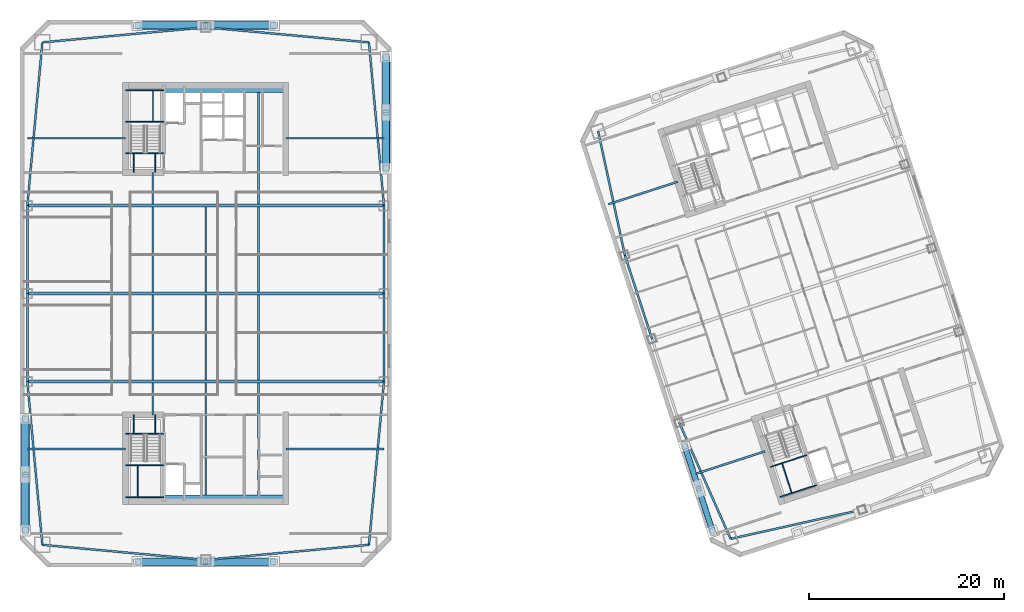
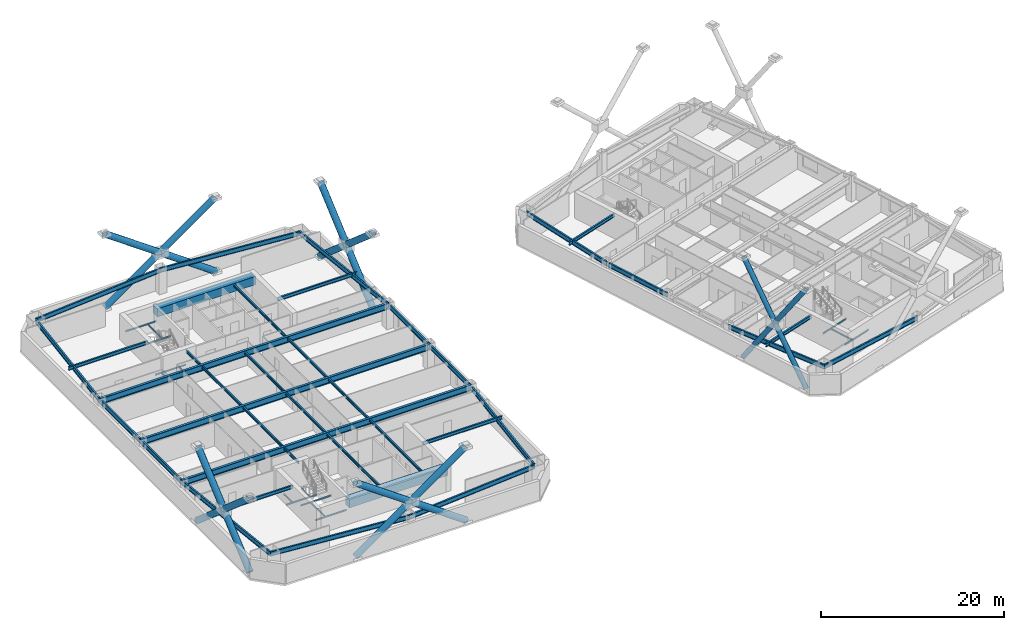
# One storey, part 3 of 14: 53 beams, 20 members.
"""IFC4 building model written with IfcOpenShell, lengths in metres."""

from ifc_helpers import new_model, si_unit, direction, frame, origin, origin_2d, place, context, subcontext, project, spatial, rectangle, hollow_circle, i_section, extrude, material, material_profile, profile_set, type_object, element, save


model = new_model("IFC4")

# Units and contexts
model_context = context("Model", 3, precision=1e-05, world=origin(), true_north=direction((0.0, 1.0)))
body_context = subcontext(model_context, "Body", "Model", "MODEL_VIEW")
ifc_project = project(units=[si_unit("LENGTHUNIT", "METRE"), si_unit("AREAUNIT", "SQUARE_METRE"), si_unit("VOLUMEUNIT", "CUBIC_METRE"), si_unit("PLANEANGLEUNIT", "RADIAN"), si_unit("MASSUNIT", "GRAM", prefix="KILO")], contexts=[model_context])

# Site, building, storey
site_placement = place(None, origin())
site = spatial("IfcSite", under=ifc_project, at=site_placement, CompositionType="ELEMENT")
building_placement = place(site_placement, origin())
building = spatial("IfcBuilding", under=site, at=building_placement, Name="Qiaolan Cultural Towers", CompositionType="ELEMENT")
storey_placement = place(building_placement, frame((0.0, 0.0, 149.5)))
storey = spatial("IfcBuildingStorey", under=building, at=storey_placement, Name="L39", CompositionType="ELEMENT", Elevation=149.5)

# Beams
ifc_material_1 = material(Name="Steel Q355B", Category="steel")
ifc_material_profile_1 = material_profile(ifc_material_1, i_section(OverallWidth=0.300048828125, OverallDepth=0.800048828125, WebThickness=0.013916015625, FlangeThickness=0.02587890625, at=origin_2d()), Name="HN800x300x14x26")
ifc_profile_set_1 = profile_set([ifc_material_profile_1], Name="Steel Q355B")
beam_type_1 = type_object("IfcBeamType", Name="BM-HN800x300x14x26", PredefinedType="BEAM", material=ifc_profile_set_1)
for number, where, z_axis, x_axis, name in (
    (1, (11.75, 25.0, 2.7900390625), (1.0, 0.0, 0.0), (0.0, 1.0, 0.0), "L39 T1 Primary Transverse Girder V1"),
    (2, (11.75, 34.0, 2.7900390625), (1.0, 0.0, 0.0), (0.0, 1.0, 0.0), "L39 T1 Primary Transverse Girder V2"),
    (3, (11.75, 43.0, 2.7900390625), (1.0, 0.0, 0.0), (0.0, 1.0, 0.0), "L39 T1 Primary Transverse Girder V3"),
):
    element("IfcBeam", number, at=place(storey_placement, frame(where, z_axis=z_axis, x_axis=x_axis)), inside=storey, type_object=beam_type_1, Name=name, PredefinedType="BEAM", context=body_context, shape_type="SweptSolid", body=[
        extrude(i_section(OverallWidth=0.300048828125, OverallDepth=0.800048828125, WebThickness=0.013916015625, FlangeThickness=0.02587890625, at=origin_2d()), origin(), (0.0, 0.0, 1.0), 36.5),
    ])
ifc_material_2 = material(Name="Steel Q355B", Category="steel")
ifc_material_profile_2 = material_profile(ifc_material_2, i_section(OverallWidth=0.175048828125, OverallDepth=0.35009765625, WebThickness=0.007080078125, FlangeThickness=0.010986328125, at=origin_2d()), Name="HN350x175x7x11")
ifc_profile_set_2 = profile_set([ifc_material_profile_2], Name="Steel Q355B")
beam_type_2 = type_object("IfcBeamType", Name="BM-JST-HN350x175x7x11", PredefinedType="JOIST", material=ifc_profile_set_2)
beam_1_placement = place(storey_placement, frame((24.60009765625, 21.60009765625, 3.014892578125), z_axis=(0.0, 1.0, 0.0), x_axis=(-1.0, 0.0, 0.0)))
element("IfcBeam", 4, at=beam_1_placement, inside=storey, type_object=beam_type_2, Name="L39 T1 Secondary Floor Joist U1-1", PredefinedType="JOIST", context=body_context, shape_type="SweptSolid", body=[
    extrude(i_section(OverallWidth=0.175048828125, OverallDepth=0.35009765625, WebThickness=0.007080078125, FlangeThickness=0.010986328125, at=origin_2d()), origin(), (0.0, 0.0, 1.0), 3.25),
])
for number, where, z_axis, x_axis, name in (
    (5, (24.60009765625, 25.14990234375, 3.014892578125), (0.0, 1.0, 0.0), (-1.0, 0.0, 0.0), "L39 T1 Secondary Floor Joist U1-2"),
    (6, (24.60009765625, 34.14990234375, 3.014892578125), (0.0, 1.0, 0.0), (-1.0, 0.0, 0.0), "L39 T1 Secondary Floor Joist U1-3"),
):
    element("IfcBeam", number, at=place(storey_placement, frame(where, z_axis=z_axis, x_axis=x_axis)), inside=storey, type_object=beam_type_2, Name=name, PredefinedType="JOIST", context=body_context, shape_type="SweptSolid", body=[
        extrude(i_section(OverallWidth=0.175048828125, OverallDepth=0.35009765625, WebThickness=0.007080078125, FlangeThickness=0.010986328125, at=origin_2d()), origin(), (0.0, 0.0, 1.0), 8.7001953125),
    ])
beam_2_placement = place(storey_placement, frame((24.60009765625, 43.14990234375, 3.014892578125), z_axis=(0.0, 1.0, 0.0), x_axis=(-1.0, 0.0, 0.0)))
element("IfcBeam", 7, at=beam_2_placement, inside=storey, type_object=beam_type_2, Name="L39 T1 Secondary Floor Joist U1-4", PredefinedType="JOIST", context=body_context, shape_type="SweptSolid", body=[
    extrude(i_section(OverallWidth=0.175048828125, OverallDepth=0.35009765625, WebThickness=0.007080078125, FlangeThickness=0.010986328125, at=origin_2d()), origin(), (0.0, 0.0, 1.0), 3.25),
])
beam_3_placement = place(storey_placement, frame((30.0, 13.39990234375, 3.014892578125), z_axis=(0.0, 1.0, 0.0), x_axis=(-1.0, 0.0, 0.0)))
element("IfcBeam", 8, at=beam_3_placement, inside=storey, type_object=beam_type_2, Name="L39 T1 Secondary Floor Joist U2-1", PredefinedType="JOIST", context=body_context, shape_type="SweptSolid", body=[
    extrude(i_section(OverallWidth=0.175048828125, OverallDepth=0.35009765625, WebThickness=0.007080078125, FlangeThickness=0.010986328125, at=origin_2d()), origin(), (0.0, 0.0, 1.0), 11.4501953125),
])
for number, where, z_axis, x_axis, name in (
    (9, (30.0, 25.14990234375, 3.014892578125), (0.0, 1.0, 0.0), (-1.0, 0.0, 0.0), "L39 T1 Secondary Floor Joist U2-2"),
    (10, (30.0, 34.14990234375, 3.014892578125), (0.0, 1.0, 0.0), (-1.0, 0.0, 0.0), "L39 T1 Secondary Floor Joist U2-3"),
):
    element("IfcBeam", number, at=place(storey_placement, frame(where, z_axis=z_axis, x_axis=x_axis)), inside=storey, type_object=beam_type_2, Name=name, PredefinedType="JOIST", context=body_context, shape_type="SweptSolid", body=[
        extrude(i_section(OverallWidth=0.175048828125, OverallDepth=0.35009765625, WebThickness=0.007080078125, FlangeThickness=0.010986328125, at=origin_2d()), origin(), (0.0, 0.0, 1.0), 8.7001953125),
    ])
beam_4_placement = place(storey_placement, frame((35.39990234375, 13.39990234375, 3.014892578125), z_axis=(0.0, 1.0, 0.0), x_axis=(-1.0, 0.0, 0.0)))
element("IfcBeam", 11, at=beam_4_placement, inside=storey, type_object=beam_type_2, Name="L39 T1 Secondary Floor Joist U3-1", PredefinedType="JOIST", context=body_context, shape_type="SweptSolid", body=[
    extrude(i_section(OverallWidth=0.175048828125, OverallDepth=0.35009765625, WebThickness=0.007080078125, FlangeThickness=0.010986328125, at=origin_2d()), origin(), (0.0, 0.0, 1.0), 11.4501953125),
])
for number, where, z_axis, x_axis, name in (
    (12, (35.39990234375, 25.14990234375, 3.014892578125), (0.0, 1.0, 0.0), (-1.0, 0.0, 0.0), "L39 T1 Secondary Floor Joist U3-2"),
    (13, (35.39990234375, 34.14990234375, 3.014892578125), (0.0, 1.0, 0.0), (-1.0, 0.0, 0.0), "L39 T1 Secondary Floor Joist U3-3"),
):
    element("IfcBeam", number, at=place(storey_placement, frame(where, z_axis=z_axis, x_axis=x_axis)), inside=storey, type_object=beam_type_2, Name=name, PredefinedType="JOIST", context=body_context, shape_type="SweptSolid", body=[
        extrude(i_section(OverallWidth=0.175048828125, OverallDepth=0.35009765625, WebThickness=0.007080078125, FlangeThickness=0.010986328125, at=origin_2d()), origin(), (0.0, 0.0, 1.0), 8.7001953125),
    ])
beam_5_placement = place(storey_placement, frame((35.39990234375, 43.14990234375, 3.014892578125), z_axis=(0.0, 1.0, 0.0), x_axis=(-1.0, 0.0, 0.0)))
element("IfcBeam", 14, at=beam_5_placement, inside=storey, type_object=beam_type_2, Name="L39 T1 Secondary Floor Joist U3-4", PredefinedType="JOIST", context=body_context, shape_type="SweptSolid", body=[
    extrude(i_section(OverallWidth=0.175048828125, OverallDepth=0.35009765625, WebThickness=0.007080078125, FlangeThickness=0.010986328125, at=origin_2d()), origin(), (0.0, 0.0, 1.0), 11.4501953125),
])
ifc_material_3 = material(Name="Steel Q355B", Category="steel")
ifc_material_profile_3 = material_profile(ifc_material_3, i_section(OverallWidth=0.199951171875, OverallDepth=0.449951171875, WebThickness=0.009033203125, FlangeThickness=0.013916015625, at=origin_2d()), Name="HN450x200x9x14")
ifc_profile_set_3 = profile_set([ifc_material_profile_3], Name="Steel Q355B")
beam_type_3 = type_object("IfcBeamType", Name="BM-LNT-HN450x200x9x14", PredefinedType="LINTEL", material=ifc_profile_set_3)
for number, where, z_axis, x_axis, name in (
    (15, (21.800048828125, 18.10009765625, 2.965087890625), (-1.0, 0.0, 0.0), (0.0, -1.0, 0.0), "L39 T1 Core Flank Tie Lintel WS"),
    (16, (21.800048828125, 49.89990234375, 2.965087890625), (-1.0, 0.0, 0.0), (0.0, -1.0, 0.0), "L39 T1 Core Flank Tie Lintel WN"),
    (17, (38.199951171875, 18.10009765625, 2.965087890625), (1.0, 0.0, 0.0), (0.0, 1.0, 0.0), "L39 T1 Core Flank Tie Lintel ES"),
    (18, (38.199951171875, 49.89990234375, 2.965087890625), (1.0, 0.0, 0.0), (0.0, 1.0, 0.0), "L39 T1 Core Flank Tie Lintel EN"),
):
    element("IfcBeam", number, at=place(storey_placement, frame(where, z_axis=z_axis, x_axis=x_axis)), inside=storey, type_object=beam_type_3, Name=name, PredefinedType="LINTEL", context=body_context, shape_type="SweptSolid", body=[
        extrude(i_section(OverallWidth=0.199951171875, OverallDepth=0.449951171875, WebThickness=0.009033203125, FlangeThickness=0.013916015625, at=origin_2d()), origin(), (0.0, 0.0, 1.0), 10.050048828125),
    ])
beam_6_placement = place(storey_placement, frame((87.252685546875, 17.861083984375, 2.965087890625), z_axis=(-0.951064407856, -0.308992705592, 0.0), x_axis=(0.308992705592, -0.951064407856, 0.0)))
element("IfcBeam", 19, at=beam_6_placement, inside=storey, type_object=beam_type_3, Name="L39 T2 Core Flank Tie Lintel WS", PredefinedType="LINTEL", context=body_context, shape_type="SweptSolid", body=[
    extrude(i_section(OverallWidth=0.199951171875, OverallDepth=0.449951171875, WebThickness=0.009033203125, FlangeThickness=0.013916015625, at=origin_2d()), origin(), (0.0, 0.0, 1.0), 7.449951171875),
])
beam_7_placement = place(storey_placement, frame((78.291259765625, 45.44189453125, 2.965087890625), z_axis=(-0.951054777171, -0.309022346796, 0.0), x_axis=(0.309022346796, -0.951054777171, 0.0)))
element("IfcBeam", 20, at=beam_7_placement, inside=storey, type_object=beam_type_3, Name="L39 T2 Core Flank Tie Lintel WN", PredefinedType="LINTEL", context=body_context, shape_type="SweptSolid", body=[
    extrude(i_section(OverallWidth=0.199951171875, OverallDepth=0.449951171875, WebThickness=0.009033203125, FlangeThickness=0.013916015625, at=origin_2d()), origin(), (0.0, 0.0, 1.0), 7.4501953125),
])
ifc_material_4 = material(Name="Concrete C50", Category="concrete")
ifc_material_profile_4 = material_profile(ifc_material_4, rectangle(XDim=0.89990234375, YDim=1.10009765625, at=origin_2d()), Name="RC900x1100")
ifc_profile_set_4 = profile_set([ifc_material_profile_4], Name="Concrete C50")
beam_type_4 = type_object("IfcBeamType", Name="BM-RC900x1100", PredefinedType="BEAM", material=ifc_profile_set_4)
for number, where, z_axis, x_axis, name in (
    (21, (25.719970703125, 12.949951171875, 2.639892578125), (1.0, 0.0, 0.0), (0.0, 1.0, 0.0), "L39 T1 Core Header Girder S"),
    (22, (25.719970703125, 55.050048828125, 2.639892578125), (1.0, 0.0, 0.0), (0.0, 1.0, 0.0), "L39 T1 Core Header Girder N"),
):
    element("IfcBeam", number, at=place(storey_placement, frame(where, z_axis=z_axis, x_axis=x_axis)), inside=storey, type_object=beam_type_4, Name=name, PredefinedType="BEAM", context=body_context, shape_type="SweptSolid", body=[
        extrude(rectangle(XDim=0.89990234375, YDim=1.10009765625, at=origin_2d()), origin(), (0.0, 0.0, 1.0), 12.47998046875),
    ])
ifc_material_5 = material(Name="Steel Q355B", Category="steel")
ifc_material_profile_5 = material_profile(ifc_material_5, i_section(OverallWidth=0.199951171875, OverallDepth=0.60009765625, WebThickness=0.010986328125, FlangeThickness=0.01708984375, at=origin_2d()), Name="HN600x200x11x17")
ifc_profile_set_5 = profile_set([ifc_material_profile_5], Name="Steel Q355B")
beam_type_5 = type_object("IfcBeamType", Name="BM-SPD-HN600x200x11x17", PredefinedType="SPANDREL", material=ifc_profile_set_5)
for number, where, z_axis, x_axis, name in (
    (23, (13.2900390625, 8.2900390625, 2.889892578125), (0.995779862064, -0.09177399582, 0.0), (0.09177399582, 0.995779862064, 0.0), "L39 T1 Perimeter Spandrel Beam 1"),
    (24, (30.0, 6.75, 2.889892578125), (0.995779862064, 0.09177399582, 0.0), (-0.09177399582, 0.995779862064, 0.0), "L39 T1 Perimeter Spandrel Beam 2"),
    (25, (46.7099609375, 8.2900390625, 2.889892578125), (0.09177399582, 0.995779862064, 0.0), (-0.995779862064, 0.09177399582, 0.0), "L39 T1 Perimeter Spandrel Beam 3"),
):
    element("IfcBeam", number, at=place(storey_placement, frame(where, z_axis=z_axis, x_axis=x_axis)), inside=storey, type_object=beam_type_5, Name=name, PredefinedType="SPANDREL", context=body_context, shape_type="SweptSolid", body=[
        extrude(i_section(OverallWidth=0.199951171875, OverallDepth=0.60009765625, WebThickness=0.010986328125, FlangeThickness=0.01708984375, at=origin_2d()), origin(), (0.0, 0.0, 1.0), 16.78076171875),
    ])
for number, where, z_axis, x_axis, name in (
    (26, (48.25, 25.0, 2.889892578125), (0.0, 1.0, 0.0), (-1.0, 0.0, 0.0), "L39 T1 Perimeter Spandrel Beam 4"),
    (27, (48.25, 34.0, 2.889892578125), (0.0, 1.0, 0.0), (-1.0, 0.0, 0.0), "L39 T1 Perimeter Spandrel Beam 5"),
):
    element("IfcBeam", number, at=place(storey_placement, frame(where, z_axis=z_axis, x_axis=x_axis)), inside=storey, type_object=beam_type_5, Name=name, PredefinedType="SPANDREL", context=body_context, shape_type="SweptSolid", body=[
        extrude(i_section(OverallWidth=0.199951171875, OverallDepth=0.60009765625, WebThickness=0.010986328125, FlangeThickness=0.01708984375, at=origin_2d()), origin(), (0.0, 0.0, 1.0), 9.0),
    ])
for number, where, z_axis, x_axis, name in (
    (28, (48.25, 43.0, 2.889892578125), (-0.09177399582, 0.995779862064, 0.0), (-0.995779862064, -0.09177399582, 0.0), "L39 T1 Perimeter Spandrel Beam 6"),
    (29, (46.7099609375, 59.7099609375, 2.889892578125), (-0.995779862064, 0.09177399582, 0.0), (-0.09177399582, -0.995779862064, 0.0), "L39 T1 Perimeter Spandrel Beam 7"),
    (30, (30.0, 61.25, 2.889892578125), (-0.995779862064, -0.09177399582, 0.0), (0.09177399582, -0.995779862064, 0.0), "L39 T1 Perimeter Spandrel Beam 8"),
    (31, (13.2900390625, 59.7099609375, 2.889892578125), (-0.09177399582, -0.995779862064, 0.0), (0.995779862064, -0.09177399582, 0.0), "L39 T1 Perimeter Spandrel Beam 9"),
):
    element("IfcBeam", number, at=place(storey_placement, frame(where, z_axis=z_axis, x_axis=x_axis)), inside=storey, type_object=beam_type_5, Name=name, PredefinedType="SPANDREL", context=body_context, shape_type="SweptSolid", body=[
        extrude(i_section(OverallWidth=0.199951171875, OverallDepth=0.60009765625, WebThickness=0.010986328125, FlangeThickness=0.01708984375, at=origin_2d()), origin(), (0.0, 0.0, 1.0), 16.78076171875),
    ])
for number, where, z_axis, x_axis, name in (
    (32, (11.75, 43.0, 2.889892578125), (0.0, -1.0, 0.0), (1.0, 0.0, 0.0), "L39 T1 Perimeter Spandrel Beam 10"),
    (33, (11.75, 34.0, 2.889892578125), (0.0, -1.0, 0.0), (1.0, 0.0, 0.0), "L39 T1 Perimeter Spandrel Beam 11"),
):
    element("IfcBeam", number, at=place(storey_placement, frame(where, z_axis=z_axis, x_axis=x_axis)), inside=storey, type_object=beam_type_5, Name=name, PredefinedType="SPANDREL", context=body_context, shape_type="SweptSolid", body=[
        extrude(i_section(OverallWidth=0.199951171875, OverallDepth=0.60009765625, WebThickness=0.010986328125, FlangeThickness=0.01708984375, at=origin_2d()), origin(), (0.0, 0.0, 1.0), 9.0),
    ])
beam_8_placement = place(storey_placement, frame((11.75, 25.0, 2.889892578125), z_axis=(0.09177399582, -0.995779862064, 0.0), x_axis=(0.995779862064, 0.09177399582, 0.0)))
element("IfcBeam", 34, at=beam_8_placement, inside=storey, type_object=beam_type_5, Name="L39 T1 Perimeter Spandrel Beam 12", PredefinedType="SPANDREL", context=body_context, shape_type="SweptSolid", body=[
    extrude(i_section(OverallWidth=0.199951171875, OverallDepth=0.60009765625, WebThickness=0.010986328125, FlangeThickness=0.01708984375, at=origin_2d()), origin(), (0.0, 0.0, 1.0), 16.78076171875),
])
beam_9_placement = place(storey_placement, frame((83.71875, 8.900634765625, 2.889892578125), z_axis=(0.976265293399, 0.216578108094, 0.0), x_axis=(-0.216578108094, 0.976265293399, 0.0)))
element("IfcBeam", 35, at=beam_9_placement, inside=storey, type_object=beam_type_5, Name="L39 T2 Perimeter Spandrel Beam 1", PredefinedType="SPANDREL", context=body_context, shape_type="SweptSolid", body=[
    extrude(i_section(OverallWidth=0.199951171875, OverallDepth=0.60009765625, WebThickness=0.010986328125, FlangeThickness=0.01708984375, at=origin_2d()), origin(), (0.0, 0.0, 1.0), 13.793212890625),
])
beam_10_placement = place(storey_placement, frame((70.165283203125, 50.61376953125, 2.889892578125), z_axis=(0.210832241173, -0.977522258612, 0.0), x_axis=(0.977522258612, 0.210832241173, 0.0)))
element("IfcBeam", 36, at=beam_10_placement, inside=storey, type_object=beam_type_5, Name="L39 T2 Perimeter Spandrel Beam 9", PredefinedType="SPANDREL", context=body_context, shape_type="SweptSolid", body=[
    extrude(i_section(OverallWidth=0.199951171875, OverallDepth=0.60009765625, WebThickness=0.010986328125, FlangeThickness=0.01708984375, at=origin_2d()), origin(), (0.0, 0.0, 1.0), 12.997314453125),
])
beam_11_placement = place(storey_placement, frame((72.905517578125, 37.90869140625, 2.889892578125), z_axis=(0.309008170129, -0.951059383421, 0.0), x_axis=(0.951059383421, 0.309008170129, 0.0)))
element("IfcBeam", 37, at=beam_11_placement, inside=storey, type_object=beam_type_5, Name="L39 T2 Perimeter Spandrel Beam 10", PredefinedType="SPANDREL", context=body_context, shape_type="SweptSolid", body=[
    extrude(i_section(OverallWidth=0.199951171875, OverallDepth=0.60009765625, WebThickness=0.010986328125, FlangeThickness=0.01708984375, at=origin_2d()), origin(), (0.0, 0.0, 1.0), 8.999755859375),
])
beam_12_placement = place(storey_placement, frame((78.4677734375, 20.789794921875, 2.889892578125), z_axis=(0.404011070002, -0.914754095545, 0.0), x_axis=(0.914754095545, 0.404011070002, 0.0)))
element("IfcBeam", 38, at=beam_12_placement, inside=storey, type_object=beam_type_5, Name="L39 T2 Perimeter Spandrel Beam 12", PredefinedType="SPANDREL", context=body_context, shape_type="SweptSolid", body=[
    extrude(i_section(OverallWidth=0.199951171875, OverallDepth=0.60009765625, WebThickness=0.010986328125, FlangeThickness=0.01708984375, at=origin_2d()), origin(), (0.0, 0.0, 1.0), 12.9970703125),
])
ifc_material_6 = material(Name="Steel Q355B", Category="steel")
ifc_material_profile_6 = material_profile(ifc_material_6, i_section(OverallWidth=0.10009765625, OverallDepth=0.199951171875, WebThickness=0.005615234375, FlangeThickness=0.008056640625, at=origin_2d()), Name="HN200x100x5.5x8")
ifc_profile_set_6 = profile_set([ifc_material_profile_6], Name="Steel Q355B")
beam_type_6 = type_object("IfcBeamType", Name="BM-STTRIM-200", PredefinedType="BEAM", material=ifc_profile_set_6)
beam_13_placement = place(storey_placement, frame((21.800048828125, 19.659912109375, -0.4599609375), z_axis=(1.0, 0.0, 0.0), x_axis=(0.0, 1.0, 0.0)))
element("IfcBeam", 39, at=beam_13_placement, inside=storey, type_object=beam_type_6, Name="L39 ST-W1 Floor Landing Header Beam", PredefinedType="BEAM", context=body_context, shape_type="SweptSolid", body=[
    extrude(i_section(OverallWidth=0.10009765625, OverallDepth=0.199951171875, WebThickness=0.005615234375, FlangeThickness=0.008056640625, at=origin_2d()), origin(), (0.0, 0.0, 1.0), 3.919921875),
])
for number, where, z_axis, x_axis, name in (
    (40, (22.64990234375, 21.60009765625, -0.4599609375), (0.0, -1.0, 0.0), (1.0, 0.0, 0.0), "L39 ST-W1 Floor Landing Stringer 1"),
    (41, (24.85009765625, 21.60009765625, -0.4599609375), (0.0, -1.0, 0.0), (1.0, 0.0, 0.0), "L39 ST-W1 Floor Landing Stringer 2"),
):
    element("IfcBeam", number, at=place(storey_placement, frame(where, z_axis=z_axis, x_axis=x_axis)), inside=storey, type_object=beam_type_6, Name=name, PredefinedType="BEAM", context=body_context, shape_type="SweptSolid", body=[
        extrude(i_section(OverallWidth=0.10009765625, OverallDepth=0.199951171875, WebThickness=0.005615234375, FlangeThickness=0.008056640625, at=origin_2d()), origin(), (0.0, 0.0, 1.0), 1.940185546875),
    ])
for number, where, z_axis, x_axis, name in (
    (42, (21.800048828125, 16.411376953125, 1.425048828125), (1.0, 0.0, 0.0), (0.0, 1.0, 0.0), "L39 ST-W1 Stair Landing Support Beam 1-1"),
    (43, (21.800048828125, 13.179931640625, 1.425048828125), (1.0, 0.0, 0.0), (0.0, 1.0, 0.0), "L39 ST-W1 Stair Landing Support Beam 1-2"),
):
    element("IfcBeam", number, at=place(storey_placement, frame(where, z_axis=z_axis, x_axis=x_axis)), inside=storey, type_object=beam_type_6, Name=name, PredefinedType="BEAM", context=body_context, shape_type="SweptSolid", body=[
        extrude(i_section(OverallWidth=0.10009765625, OverallDepth=0.199951171875, WebThickness=0.005615234375, FlangeThickness=0.008056640625, at=origin_2d()), origin(), (0.0, 0.0, 1.0), 3.919921875),
    ])
beam_14_placement = place(storey_placement, frame((23.070068359375, 16.411376953125, 1.425048828125), z_axis=(0.0, -1.0, 0.0), x_axis=(1.0, 0.0, 0.0)))
element("IfcBeam", 44, at=beam_14_placement, inside=storey, type_object=beam_type_6, Name="L39 ST-W1 Stair Landing Trimmer 1", PredefinedType="BEAM", context=body_context, shape_type="SweptSolid", body=[
    extrude(i_section(OverallWidth=0.10009765625, OverallDepth=0.199951171875, WebThickness=0.005615234375, FlangeThickness=0.008056640625, at=origin_2d()), origin(), (0.0, 0.0, 1.0), 3.2314453125),
])
beam_15_placement = place(storey_placement, frame((21.800048828125, 48.340087890625, -0.4599609375), z_axis=(1.0, 0.0, 0.0), x_axis=(0.0, 1.0, 0.0)))
element("IfcBeam", 45, at=beam_15_placement, inside=storey, type_object=beam_type_6, Name="L39 ST-W2 Floor Landing Header Beam", PredefinedType="BEAM", context=body_context, shape_type="SweptSolid", body=[
    extrude(i_section(OverallWidth=0.10009765625, OverallDepth=0.199951171875, WebThickness=0.005615234375, FlangeThickness=0.008056640625, at=origin_2d()), origin(), (0.0, 0.0, 1.0), 3.919921875),
])
for number, where, z_axis, x_axis, name in (
    (46, (22.64990234375, 46.39990234375, -0.4599609375), (0.0, 1.0, 0.0), (-1.0, 0.0, 0.0), "L39 ST-W2 Floor Landing Stringer 1"),
    (47, (24.85009765625, 46.39990234375, -0.4599609375), (0.0, 1.0, 0.0), (-1.0, 0.0, 0.0), "L39 ST-W2 Floor Landing Stringer 2"),
):
    element("IfcBeam", number, at=place(storey_placement, frame(where, z_axis=z_axis, x_axis=x_axis)), inside=storey, type_object=beam_type_6, Name=name, PredefinedType="BEAM", context=body_context, shape_type="SweptSolid", body=[
        extrude(i_section(OverallWidth=0.10009765625, OverallDepth=0.199951171875, WebThickness=0.005615234375, FlangeThickness=0.008056640625, at=origin_2d()), origin(), (0.0, 0.0, 1.0), 1.940185546875),
    ])
for number, where, z_axis, x_axis, name in (
    (48, (21.800048828125, 51.588623046875, 1.425048828125), (1.0, 0.0, 0.0), (0.0, 1.0, 0.0), "L39 ST-W2 Stair Landing Support Beam 1-1"),
    (49, (21.800048828125, 54.820068359375, 1.425048828125), (1.0, 0.0, 0.0), (0.0, 1.0, 0.0), "L39 ST-W2 Stair Landing Support Beam 1-2"),
):
    element("IfcBeam", number, at=place(storey_placement, frame(where, z_axis=z_axis, x_axis=x_axis)), inside=storey, type_object=beam_type_6, Name=name, PredefinedType="BEAM", context=body_context, shape_type="SweptSolid", body=[
        extrude(i_section(OverallWidth=0.10009765625, OverallDepth=0.199951171875, WebThickness=0.005615234375, FlangeThickness=0.008056640625, at=origin_2d()), origin(), (0.0, 0.0, 1.0), 3.919921875),
    ])
beam_16_placement = place(storey_placement, frame((24.610107421875, 51.588623046875, 1.425048828125), z_axis=(0.0, 1.0, 0.0), x_axis=(-1.0, 0.0, 0.0)))
element("IfcBeam", 50, at=beam_16_placement, inside=storey, type_object=beam_type_6, Name="L39 ST-W2 Stair Landing Trimmer 1", PredefinedType="BEAM", context=body_context, shape_type="SweptSolid", body=[
    extrude(i_section(OverallWidth=0.10009765625, OverallDepth=0.199951171875, WebThickness=0.005615234375, FlangeThickness=0.008056640625, at=origin_2d()), origin(), (0.0, 0.0, 1.0), 3.2314453125),
])
for number, where, z_axis, x_axis, name in (
    (51, (87.774658203125, 16.255126953125, 1.425048828125), (0.951047798727, 0.309043823005, 0.0), (-0.309043823005, 0.951047798727, 0.0), "L39 ST-E1 Stair Landing Support Beam 1-1"),
    (52, (88.773193359375, 13.181884765625, 1.425048828125), (0.951047798727, 0.309043823005, 0.0), (-0.309043823005, 0.951047798727, 0.0), "L39 ST-E1 Stair Landing Support Beam 1-2"),
):
    element("IfcBeam", number, at=place(storey_placement, frame(where, z_axis=z_axis, x_axis=x_axis)), inside=storey, type_object=beam_type_6, Name=name, PredefinedType="BEAM", context=body_context, shape_type="SweptSolid", body=[
        extrude(i_section(OverallWidth=0.10009765625, OverallDepth=0.199951171875, WebThickness=0.005615234375, FlangeThickness=0.008056640625, at=origin_2d()), origin(), (0.0, 0.0, 1.0), 3.919921875),
    ])
beam_17_placement = place(storey_placement, frame((88.982421875, 16.6474609375, 1.425048828125), z_axis=(0.309033108495, -0.951051280349, 0.0), x_axis=(0.951051280349, 0.309033108495, 0.0)))
element("IfcBeam", 53, at=beam_17_placement, inside=storey, type_object=beam_type_6, Name="L39 ST-E1 Stair Landing Trimmer 1", PredefinedType="BEAM", context=body_context, shape_type="SweptSolid", body=[
    extrude(i_section(OverallWidth=0.10009765625, OverallDepth=0.199951171875, WebThickness=0.005615234375, FlangeThickness=0.008056640625, at=origin_2d()), origin(), (0.0, 0.0, 1.0), 3.231201171875),
])

# Members
ifc_material_7 = material(Name="Steel Q355B", Category="steel")
ifc_material_profile_7 = material_profile(ifc_material_7, hollow_circle(Radius=0.300048828125, WallThickness=0.030029296875, at=origin_2d()), Name="CHS600x30")
ifc_profile_set_7 = profile_set([ifc_material_profile_7], Name="Steel Q355B")
member_type_1 = type_object("IfcMemberType", Name="MBR-BRC-CHS600x30", PredefinedType="BRACE", material=ifc_profile_set_7)
for number, where, z_axis, x_axis, name in (
    (54, (81.877685546875, 9.648193359375, 0.14990234375), (-0.175992557222, 0.541656628538, 0.821970021694), (-0.951057728941, -0.309013262209, 0.0), "T2 WEST Perimeter Frame Diagonal E-Z3-M2-D1A"),
    (55, (80.448486328125, 14.046875, 6.824951171875), (-0.175992557222, 0.541656628538, 0.821970021694), (-0.951057728941, -0.309013262209, 0.0), "T2 WEST Perimeter Frame Diagonal E-Z3-M2-D1B"),
    (56, (79.019287109375, 18.445556640625, 0.14990234375), (0.175992557222, -0.541656628538, 0.821970021694), (0.951057728941, 0.309013262209, 0.0), "T2 WEST Perimeter Frame Diagonal E-Z3-M2-D2A"),
    (57, (80.448486328125, 14.046875, 6.824951171875), (0.175992557222, -0.541656628538, 0.821970021694), (0.951057728941, 0.309013262209, 0.0), "T2 WEST Perimeter Frame Diagonal E-Z3-M2-D2B"),
):
    element("IfcMember", number, at=place(storey_placement, frame(where, z_axis=z_axis, x_axis=x_axis)), inside=storey, type_object=member_type_1, Name=name, PredefinedType="BRACE", context=body_context, shape_type="SweptSolid", body=[
        extrude(hollow_circle(Radius=0.300048828125, WallThickness=0.030029296875, at=origin_2d()), origin(), (0.0, 0.0, 1.0), 8.120849609375),
    ])
ifc_material_8 = material(Name="Steel Q390GJB", Category="steel")
ifc_material_profile_8 = material_profile(ifc_material_8, hollow_circle(Radius=0.39990234375, WallThickness=0.0400390625, at=origin_2d()), Name="CHS800x40")
ifc_profile_set_8 = profile_set([ifc_material_profile_8], Name="Steel Q390GJB")
member_type_2 = type_object("IfcMemberType", Name="MBR-BRC-CHS800x40", PredefinedType="BRACE", material=ifc_profile_set_8)
member_1_placement = place(storey_placement, frame((11.550048828125, 9.75, 0.14990234375), z_axis=(0.0, 0.756444262599, 0.654058160702), x_axis=(-1.0, 0.0, 0.0)))
element("IfcMember", 58, at=member_1_placement, inside=storey, type_object=member_type_2, Name="T1 WEST Perimeter Frame Diagonal W-Z2-M5-D1A", PredefinedType="BRACE", context=body_context, shape_type="SweptSolid", body=[
    extrude(hollow_circle(Radius=0.39990234375, WallThickness=0.0400390625, at=origin_2d()), origin(), (0.0, 0.0, 1.0), 7.568359375),
])
member_2_placement = place(storey_placement, frame((11.550048828125, 15.47509765625, 5.10009765625), z_axis=(0.0, 0.756446422881, 0.654055662242), x_axis=(-1.0, 0.0, 0.0)))
element("IfcMember", 59, at=member_2_placement, inside=storey, type_object=member_type_2, Name="T1 WEST Perimeter Frame Diagonal W-Z2-M5-D1B", PredefinedType="BRACE", context=body_context, shape_type="SweptSolid", body=[
    extrude(hollow_circle(Radius=0.39990234375, WallThickness=0.0400390625, at=origin_2d()), origin(), (0.0, 0.0, 1.0), 7.568115234375),
])
for number, where, z_axis, x_axis, name in (
    (60, (11.550048828125, 21.199951171875, 0.14990234375), (0.0, -0.756430462484, 0.654074120744), (1.0, 0.0, 0.0), "T1 WEST Perimeter Frame Diagonal W-Z2-M5-D2A"),
    (61, (11.550048828125, 15.47509765625, 5.10009765625), (0.0, -0.756460222509, 0.654039701977), (1.0, 0.0, 0.0), "T1 WEST Perimeter Frame Diagonal W-Z2-M5-D2B"),
    (62, (48.449951171875, 46.800048828125, 0.14990234375), (0.0, 0.756430462484, 0.654074120744), (-1.0, 0.0, 0.0), "T1 EAST Perimeter Frame Diagonal W-Z2-M5-D1A"),
    (63, (48.449951171875, 52.52490234375, 5.10009765625), (0.0, 0.756460222509, 0.654039701977), (-1.0, 0.0, 0.0), "T1 EAST Perimeter Frame Diagonal W-Z2-M5-D1B"),
    (64, (48.449951171875, 58.25, 0.14990234375), (0.0, -0.756444262599, 0.654058160702), (1.0, 0.0, 0.0), "T1 EAST Perimeter Frame Diagonal W-Z2-M5-D2A"),
):
    element("IfcMember", number, at=place(storey_placement, frame(where, z_axis=z_axis, x_axis=x_axis)), inside=storey, type_object=member_type_2, Name=name, PredefinedType="BRACE", context=body_context, shape_type="SweptSolid", body=[
        extrude(hollow_circle(Radius=0.39990234375, WallThickness=0.0400390625, at=origin_2d()), origin(), (0.0, 0.0, 1.0), 7.568359375),
    ])
member_3_placement = place(storey_placement, frame((48.449951171875, 52.52490234375, 5.10009765625), z_axis=(0.0, -0.756446422881, 0.654055662242), x_axis=(1.0, 0.0, 0.0)))
element("IfcMember", 65, at=member_3_placement, inside=storey, type_object=member_type_2, Name="T1 EAST Perimeter Frame Diagonal W-Z2-M5-D2B", PredefinedType="BRACE", context=body_context, shape_type="SweptSolid", body=[
    extrude(hollow_circle(Radius=0.39990234375, WallThickness=0.0400390625, at=origin_2d()), origin(), (0.0, 0.0, 1.0), 7.568115234375),
])
member_4_placement = place(storey_placement, frame((23.0, 6.550048828125, 0.14990234375), z_axis=(0.816471955883, 0.0, 0.577385092686), x_axis=(0.0, 1.0, 0.0)))
element("IfcMember", 66, at=member_4_placement, inside=storey, type_object=member_type_2, Name="T1 SOUTH Perimeter Frame Diagonal W-Z2-M5-D1A", PredefinedType="BRACE", context=body_context, shape_type="SweptSolid", body=[
    extrude(hollow_circle(Radius=0.39990234375, WallThickness=0.0400390625, at=origin_2d()), origin(), (0.0, 0.0, 1.0), 8.573486328125),
])
member_5_placement = place(storey_placement, frame((30.0, 6.550048828125, 5.10009765625), z_axis=(0.816485380136, 0.0, 0.577366109175), x_axis=(0.0, 1.0, 0.0)))
element("IfcMember", 67, at=member_5_placement, inside=storey, type_object=member_type_2, Name="T1 SOUTH Perimeter Frame Diagonal W-Z2-M5-D1B", PredefinedType="BRACE", context=body_context, shape_type="SweptSolid", body=[
    extrude(hollow_circle(Radius=0.39990234375, WallThickness=0.0400390625, at=origin_2d()), origin(), (0.0, 0.0, 1.0), 8.5732421875),
])
member_6_placement = place(storey_placement, frame((37.0, 6.550048828125, 0.14990234375), z_axis=(-0.816471955883, 0.0, 0.577385092686), x_axis=(0.0, -1.0, 0.0)))
element("IfcMember", 68, at=member_6_placement, inside=storey, type_object=member_type_2, Name="T1 SOUTH Perimeter Frame Diagonal W-Z2-M5-D2A", PredefinedType="BRACE", context=body_context, shape_type="SweptSolid", body=[
    extrude(hollow_circle(Radius=0.39990234375, WallThickness=0.0400390625, at=origin_2d()), origin(), (0.0, 0.0, 1.0), 8.573486328125),
])
member_7_placement = place(storey_placement, frame((30.0, 6.550048828125, 5.10009765625), z_axis=(-0.816485380136, 0.0, 0.577366109175), x_axis=(0.0, -1.0, 0.0)))
element("IfcMember", 69, at=member_7_placement, inside=storey, type_object=member_type_2, Name="T1 SOUTH Perimeter Frame Diagonal W-Z2-M5-D2B", PredefinedType="BRACE", context=body_context, shape_type="SweptSolid", body=[
    extrude(hollow_circle(Radius=0.39990234375, WallThickness=0.0400390625, at=origin_2d()), origin(), (0.0, 0.0, 1.0), 8.5732421875),
])
member_8_placement = place(storey_placement, frame((23.0, 61.449951171875, 0.14990234375), z_axis=(0.816471955883, 0.0, 0.577385092686), x_axis=(0.0, 1.0, 0.0)))
element("IfcMember", 70, at=member_8_placement, inside=storey, type_object=member_type_2, Name="T1 NORTH Perimeter Frame Diagonal W-Z2-M5-D1A", PredefinedType="BRACE", context=body_context, shape_type="SweptSolid", body=[
    extrude(hollow_circle(Radius=0.39990234375, WallThickness=0.0400390625, at=origin_2d()), origin(), (0.0, 0.0, 1.0), 8.573486328125),
])
member_9_placement = place(storey_placement, frame((30.0, 61.449951171875, 5.10009765625), z_axis=(0.816485380136, 0.0, 0.577366109175), x_axis=(0.0, 1.0, 0.0)))
element("IfcMember", 71, at=member_9_placement, inside=storey, type_object=member_type_2, Name="T1 NORTH Perimeter Frame Diagonal W-Z2-M5-D1B", PredefinedType="BRACE", context=body_context, shape_type="SweptSolid", body=[
    extrude(hollow_circle(Radius=0.39990234375, WallThickness=0.0400390625, at=origin_2d()), origin(), (0.0, 0.0, 1.0), 8.5732421875),
])
member_10_placement = place(storey_placement, frame((37.0, 61.449951171875, 0.14990234375), z_axis=(-0.816471955883, 0.0, 0.577385092686), x_axis=(0.0, -1.0, 0.0)))
element("IfcMember", 72, at=member_10_placement, inside=storey, type_object=member_type_2, Name="T1 NORTH Perimeter Frame Diagonal W-Z2-M5-D2A", PredefinedType="BRACE", context=body_context, shape_type="SweptSolid", body=[
    extrude(hollow_circle(Radius=0.39990234375, WallThickness=0.0400390625, at=origin_2d()), origin(), (0.0, 0.0, 1.0), 8.573486328125),
])
member_11_placement = place(storey_placement, frame((30.0, 61.449951171875, 5.10009765625), z_axis=(-0.816485380136, 0.0, 0.577366109175), x_axis=(0.0, -1.0, 0.0)))
element("IfcMember", 73, at=member_11_placement, inside=storey, type_object=member_type_2, Name="T1 NORTH Perimeter Frame Diagonal W-Z2-M5-D2B", PredefinedType="BRACE", context=body_context, shape_type="SweptSolid", body=[
    extrude(hollow_circle(Radius=0.39990234375, WallThickness=0.0400390625, at=origin_2d()), origin(), (0.0, 0.0, 1.0), 8.5732421875),
])

save(model, "model.ifc")
